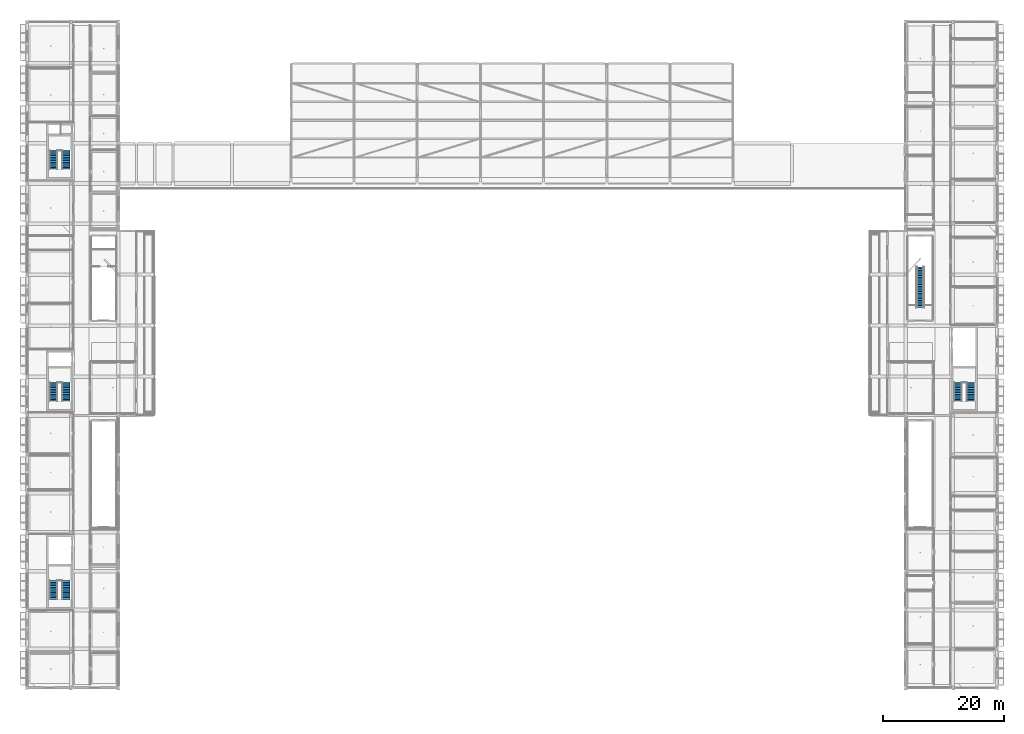
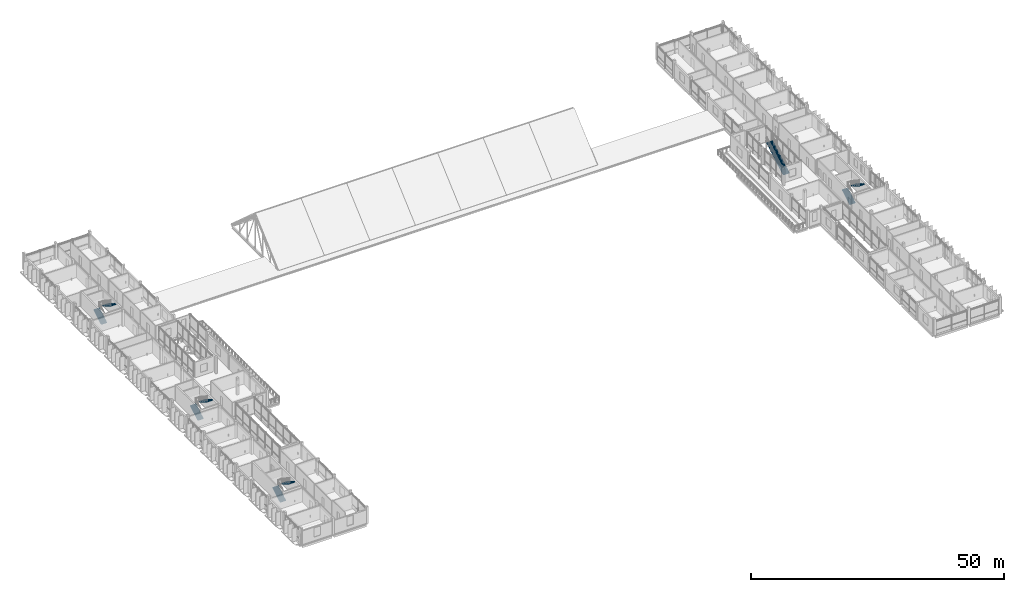
# One storey, part 63 of 86: 9 stair flights, 5 elements without a shape of their own.
"""IFC4 building model written with IfcOpenShell, lengths in metres."""

import ifcopenshell
import ifcopenshell.guid

model = None  # the IFC model being written
_history = None  # IfcOwnerHistory: only IFC2X3 demands one
_inside = {}  # id of a spatial element -> (the spatial element, [elements in it])
_under = {}  # id of a project, library or spatial element -> (it, [spatial elements below it])
_declared = {}  # id of a project -> (the project, [libraries it declares])
_typed = {}  # id of a type object -> (the type object, [elements of that type])
_made_of = {}  # id of a material, layer set ... -> (it, [elements and type objects made of it])


def new_model(schema):
    """Start an empty IFC model of exactly this schema.

    Asked for "IFC4X3", IfcOpenShell would pick the latest addendum, in which some entities
    have other attributes; the version numbers below select the first issue.
    IFC2X3 requires an IfcOwnerHistory on every rooted entity: one is made here for all.
    """
    global model, _history
    if schema == "IFC4X3":
        model = ifcopenshell.file(schema_version=(4, 3, 0, 0))
    else:
        model = ifcopenshell.file(schema=schema)
    _inside.clear()
    _under.clear()
    _declared.clear()
    _typed.clear()
    _made_of.clear()
    _history = None
    if model.schema == "IFC2X3":
        org = make("IfcOrganization", Name="unknown")
        user = make(
            "IfcPersonAndOrganization",
            ThePerson=make("IfcPerson", FamilyName="unknown"),
            TheOrganization=org,
        )
        app = make(
            "IfcApplication",
            ApplicationDeveloper=org,
            Version="unknown",
            ApplicationFullName="unknown",
            ApplicationIdentifier="unknown",
        )
        _history = make(
            "IfcOwnerHistory",
            OwningUser=user,
            OwningApplication=app,
            ChangeAction="ADDED",
            CreationDate=0,
        )
    return model


def make(cls, **values):
    """One entity of the class cls with the attributes given. An attribute that is None is left unset."""
    return model.create_entity(
        cls, **{name: value for name, value in values.items() if value is not None}
    )


def rooted(cls, **values):
    """An entity with a GlobalId (a new one), such as an element, a storey or a relation."""
    return make(cls, GlobalId=ifcopenshell.guid.new(), OwnerHistory=_history, **values)


def si_unit(unit_type, name, prefix=None):
    """IfcSIUnit, for example si_unit("LENGTHUNIT", "METRE", prefix="MILLI")."""
    return make("IfcSIUnit", UnitType=unit_type, Prefix=prefix, Name=name)


def derived_unit(unit_type, elements):
    """IfcDerivedUnit: a product of units, each with its exponent."""
    return make(
        "IfcDerivedUnit",
        Elements=[
            make("IfcDerivedUnitElement", Unit=unit, Exponent=power)
            for unit, power in elements
        ],
        UnitType=unit_type,
    )


def assignment(units):
    """IfcUnitAssignment: the units of a project."""
    return None if units is None else make("IfcUnitAssignment", Units=units)


def point(xyz):
    """IfcCartesianPoint."""
    return None if xyz is None else make("IfcCartesianPoint", Coordinates=xyz)


def direction(xyz):
    """IfcDirection."""
    return None if xyz is None else make("IfcDirection", DirectionRatios=xyz)


def frame(location, z_axis=None, x_axis=None):
    """IfcAxis2Placement3D, a coordinate frame: its origin and axes. An axis left out is left unset."""
    return make(
        "IfcAxis2Placement3D",
        Location=point(location),
        Axis=direction(z_axis),
        RefDirection=direction(x_axis),
    )


def origin():
    """The frame at (0, 0, 0) with its axes left unset."""
    return frame((0.0, 0.0, 0.0))


def place(relative_to, where):
    """IfcLocalPlacement: puts the frame where relative to a parent placement (None: the world)."""
    return make(
        "IfcLocalPlacement", PlacementRelTo=relative_to, RelativePlacement=where
    )


def context(
    kind, dimensions, precision=None, world=None, true_north=None, identifier=None
):
    """IfcGeometricRepresentationContext, for example the 3D "Model" context."""
    return make(
        "IfcGeometricRepresentationContext",
        ContextIdentifier=identifier,
        ContextType=kind,
        CoordinateSpaceDimension=dimensions,
        Precision=precision,
        WorldCoordinateSystem=world,
        TrueNorth=true_north,
    )


def subcontext(parent, identifier, kind, view, scale=None):
    """IfcGeometricRepresentationSubContext, for example "Body" below "Model"."""
    return make(
        "IfcGeometricRepresentationSubContext",
        ContextIdentifier=identifier,
        ContextType=kind,
        ParentContext=parent,
        TargetScale=scale,
        TargetView=view,
    )


def project(units=None, contexts=None):
    """IfcProject with its units and contexts."""
    return rooted(
        "IfcProject",
        Name="project",
        RepresentationContexts=contexts,
        UnitsInContext=assignment(units),
    )


def spatial(cls, under=None, at=None, **own):
    """A site, building, storey or space (cls), placed at a placement, below another one or the project."""
    s = rooted(cls, ObjectPlacement=at, **own)
    if under is not None:
        _under.setdefault(under.id(), (under, []))[1].append(s)
    return s


def polyline(points):
    """IfcPolyline through the points."""
    return make("IfcPolyline", Points=[point(p) for p in points])


def outline(outer, holes=None, kind="AREA"):
    """IfcArbitraryClosedProfileDef: a profile drawn as a closed curve; with holes, ...WithVoids."""
    if holes is None:
        return make("IfcArbitraryClosedProfileDef", ProfileType=kind, OuterCurve=outer)
    return make(
        "IfcArbitraryProfileDefWithVoids",
        ProfileType=kind,
        OuterCurve=outer,
        InnerCurves=holes,
    )


def extrude(swept, where, along, depth):
    """IfcExtrudedAreaSolid: the profile swept, set in the frame where, extruded along a direction by depth."""
    return make(
        "IfcExtrudedAreaSolid",
        SweptArea=swept,
        Position=where,
        ExtrudedDirection=direction(along),
        Depth=depth,
    )


def shape(context_of_items, identifier, shape_type, items):
    """IfcShapeRepresentation: the items that make up one representation, for example the "Body"."""
    return make(
        "IfcShapeRepresentation",
        ContextOfItems=context_of_items,
        RepresentationIdentifier=identifier,
        RepresentationType=shape_type,
        Items=items,
    )


def material(Name=None, Category=None):
    """IfcMaterial."""
    return make("IfcMaterial", Name=Name, Category=Category)


def made_of(thing, what):
    """Note that an element or type object is made of a material, layer set ...; save() writes the relation."""
    if what is not None:
        _made_of.setdefault(what.id(), (what, []))[1].append(thing)
    return thing


def type_object(cls, material=None, **own):
    """A type object (cls), such as IfcWallType, which elements share."""
    return made_of(rooted(cls, **own), material)


def element(
    cls,
    number,
    at=None,
    inside=None,
    cuts=None,
    type_object=None,
    material=None,
    context=None,
    identifier="Body",
    shape_type=None,
    held_by="IfcProductDefinitionShape",
    body=None,
    shapes=None,
    **own,
):
    """One element of the class cls, such as IfcWall. Its Tag is "e" and its number.

    at: its placement. inside: the storey or other place that contains it. cuts: it is an
    opening in that element (IfcRelVoidsElement). A single representation is given by context,
    identifier, shape_type and body (its items); several are given by shapes. held_by: the class
    of the entity that holds the representations. save() writes the other relations.
    """
    e = rooted(cls, Tag="e%d" % number, ObjectPlacement=at, **own)
    if body is not None:
        shapes = [shape(context, identifier, shape_type, body)]
    if shapes is not None:
        e.Representation = make(held_by, Representations=shapes)
    if inside is not None:
        _inside.setdefault(inside.id(), (inside, []))[1].append(e)
    if cuts is not None:
        rooted(
            "IfcRelVoidsElement", RelatingBuildingElement=cuts, RelatedOpeningElement=e
        )
    if type_object is not None:
        _typed.setdefault(type_object.id(), (type_object, []))[1].append(e)
    return made_of(e, material)


def aggregate(whole, parts):
    """IfcRelAggregates: a whole, such as a stair, and the parts it consists of."""
    return rooted("IfcRelAggregates", RelatingObject=whole, RelatedObjects=parts)


def save(model, path):
    """Write the relations noted so far, then the file.

    IfcRelAggregates (storeys below a building ...), IfcRelContainedInSpatialStructure (elements
    in a storey), IfcRelDefinesByType, IfcRelAssociatesMaterial and IfcRelDeclares: one each for
    every whole, place, type object, material and project.
    """
    for whole, parts in _under.values():
        aggregate(whole, parts)
    for where, things in _inside.values():
        rooted(
            "IfcRelContainedInSpatialStructure",
            RelatedElements=things,
            RelatingStructure=where,
        )
    for kind, things in _typed.values():
        rooted("IfcRelDefinesByType", RelatedObjects=things, RelatingType=kind)
    for what, things in _made_of.values():
        rooted("IfcRelAssociatesMaterial", RelatedObjects=things, RelatingMaterial=what)
    for by, libraries in _declared.values():
        rooted("IfcRelDeclares", RelatingContext=by, RelatedDefinitions=libraries)
    model.write(path)


model = new_model("IFC4")

# Units and contexts
model_context = context("Model", 3, precision=1e-05, world=origin(), true_north=direction((0.0, 1.0)))
body_context = subcontext(model_context, "Body", "Model", "MODEL_VIEW")
ifc_project = project(units=[si_unit("LENGTHUNIT", "METRE"), si_unit("AREAUNIT", "SQUARE_METRE"), si_unit("VOLUMEUNIT", "CUBIC_METRE"), si_unit("PLANEANGLEUNIT", "RADIAN"), si_unit("MASSUNIT", "GRAM", prefix="KILO"), derived_unit("THERMALTRANSMITTANCEUNIT", [(si_unit("POWERUNIT", "WATT"), 1), (si_unit("LENGTHUNIT", "METRE"), -2), (si_unit("THERMODYNAMICTEMPERATUREUNIT", "KELVIN"), -1)])], contexts=[model_context])

# Site, building, storey
site_placement = place(None, origin())
site = spatial("IfcSite", under=ifc_project, at=site_placement, CompositionType="ELEMENT")
building_placement = place(site_placement, origin())
building = spatial("IfcBuilding", under=site, at=building_placement, Name="Braskholm Square Health Centre", CompositionType="ELEMENT")
storey_placement = place(building_placement, frame((0.0, 0.0, 13.5)))
storey = spatial("IfcBuildingStorey", under=building, at=storey_placement, Name="L04", CompositionType="ELEMENT", Elevation=13.5)

# Stair, stair flights
ifc_material = material(Name="Concrete C35/45 (f'c = 35 MPa)", Category="concrete")
stair_type_1 = type_object("IfcStairType", Name="ExitReturnStairL04", PredefinedType="HALF_TURN_STAIR", material=ifc_material)
stair_1_placement = place(storey_placement, origin())
stair_1 = element("IfcStair", 1, at=stair_1_placement, inside=storey, type_object=stair_type_1, Name="Enclosed exit stair ST-01 L04 to L05", PredefinedType="HALF_TURN_STAIR")
stair_flight_type_1 = type_object("IfcStairFlightType", Name="ExitStairFlightL04", PredefinedType="STRAIGHT", material=ifc_material)
stair_flight_1_placement = place(storey_placement, frame((8.510009765625, 18.760009765625, 0.0), z_axis=(0.0, 0.0, 1.0), x_axis=(0.0, 1.0, 0.0)))
stair_flight_1 = element("IfcStairFlight", 2, at=stair_flight_1_placement, type_object=stair_flight_type_1, Name="Stair ST-01 lower flight L04", NumberOfRisers=12, NumberOfTreads=11, PredefinedType="STRAIGHT", RiserHeight=0.16875, TreadLength=0.28, context=body_context, shape_type="SweptSolid", body=[
    extrude(outline(polyline([(0.0, 0.0), (0.0, 0.168701171875), (0.280029296875, 0.168701171875), (0.280029296875, 0.33740234375), (0.56005859375, 0.33740234375), (0.56005859375, 0.50634765625), (0.840087890625, 0.50634765625), (0.840087890625, 0.675048828125), (1.1201171875, 0.675048828125), (1.1201171875, 0.84375), (1.39990234375, 0.84375), (1.39990234375, 1.012451171875), (1.679931640625, 1.012451171875), (1.679931640625, 1.18115234375), (1.9599609375, 1.18115234375), (1.9599609375, 1.35009765625), (2.239990234375, 1.35009765625), (2.239990234375, 1.518798828125), (2.52001953125, 1.518798828125), (2.52001953125, 1.6875), (2.800048828125, 1.6875), (2.800048828125, 1.856201171875), (3.080078125, 1.856201171875), (3.080078125, 2.02490234375), (3.080078125, 1.66943359375), (0.309814453125, 0.0), (0.0, 0.0)])), frame((0.0, 0.66015625, 0.0), z_axis=(0.0, -1.0, 0.0), x_axis=(1.0, 0.0, 0.0)), (0.0, 0.0, 1.0), 1.320068359375),
])
stair_flight_2_placement = place(storey_placement, frame((10.590087890625, 21.840087890625, 2.02490234375), z_axis=(0.0, 0.0, 1.0), x_axis=(0.0, -1.0, 0.0)))
stair_flight_2 = element("IfcStairFlight", 3, at=stair_flight_2_placement, type_object=stair_flight_type_1, Name="Stair ST-01 upper flight L04", NumberOfRisers=12, NumberOfTreads=11, PredefinedType="STRAIGHT", RiserHeight=0.16875, TreadLength=0.28, context=body_context, shape_type="SweptSolid", body=[
    extrude(outline(polyline([(0.0, 0.0), (0.0, 0.168701171875), (0.280029296875, 0.168701171875), (0.280029296875, 0.33740234375), (0.56005859375, 0.33740234375), (0.56005859375, 0.50634765625), (0.840087890625, 0.50634765625), (0.840087890625, 0.675048828125), (1.1201171875, 0.675048828125), (1.1201171875, 0.84375), (1.39990234375, 0.84375), (1.39990234375, 1.012451171875), (1.679931640625, 1.012451171875), (1.679931640625, 1.18115234375), (1.9599609375, 1.18115234375), (1.9599609375, 1.35009765625), (2.239990234375, 1.35009765625), (2.239990234375, 1.518798828125), (2.52001953125, 1.518798828125), (2.52001953125, 1.6875), (2.800048828125, 1.6875), (2.800048828125, 1.856201171875), (3.080078125, 1.856201171875), (3.080078125, 2.02490234375), (3.080078125, 1.66943359375), (0.309814453125, 0.0), (0.0, 0.0)])), frame((0.0, 0.66015625, 0.0), z_axis=(0.0, -1.0, 0.0), x_axis=(1.0, 0.0, 0.0)), (0.0, 0.0, 1.0), 1.320068359375),
])
aggregate(stair_1, [stair_flight_1, stair_flight_2])

stair_2_placement = place(storey_placement, origin())
stair_2 = element("IfcStair", 4, at=stair_2_placement, inside=storey, type_object=stair_type_1, Name="Enclosed exit stair ST-02 L04 to L05", PredefinedType="HALF_TURN_STAIR")
stair_flight_3_placement = place(storey_placement, frame((8.510009765625, 51.360107421875, 0.0), z_axis=(0.0, 0.0, 1.0), x_axis=(0.0, 1.0, 0.0)))
stair_flight_3 = element("IfcStairFlight", 5, at=stair_flight_3_placement, type_object=stair_flight_type_1, Name="Stair ST-02 lower flight L04", NumberOfRisers=12, NumberOfTreads=11, PredefinedType="STRAIGHT", RiserHeight=0.16875, TreadLength=0.28, context=body_context, shape_type="SweptSolid", body=[
    extrude(outline(polyline([(0.0, 0.0), (0.0, 0.168701171875), (0.280029296875, 0.168701171875), (0.280029296875, 0.33740234375), (0.56005859375, 0.33740234375), (0.56005859375, 0.50634765625), (0.840087890625, 0.50634765625), (0.840087890625, 0.675048828125), (1.1201171875, 0.675048828125), (1.1201171875, 0.84375), (1.39990234375, 0.84375), (1.39990234375, 1.012451171875), (1.679931640625, 1.012451171875), (1.679931640625, 1.18115234375), (1.9599609375, 1.18115234375), (1.9599609375, 1.35009765625), (2.239990234375, 1.35009765625), (2.239990234375, 1.518798828125), (2.52001953125, 1.518798828125), (2.52001953125, 1.6875), (2.800048828125, 1.6875), (2.800048828125, 1.856201171875), (3.080078125, 1.856201171875), (3.080078125, 2.02490234375), (3.080078125, 1.66943359375), (0.309814453125, 0.0), (0.0, 0.0)])), frame((0.0, 0.66015625, 0.0), z_axis=(0.0, -1.0, 0.0), x_axis=(1.0, 0.0, 0.0)), (0.0, 0.0, 1.0), 1.320068359375),
])
stair_flight_4_placement = place(storey_placement, frame((10.590087890625, 54.43994140625, 2.02490234375), z_axis=(0.0, 0.0, 1.0), x_axis=(0.0, -1.0, 0.0)))
stair_flight_4 = element("IfcStairFlight", 6, at=stair_flight_4_placement, type_object=stair_flight_type_1, Name="Stair ST-02 upper flight L04", NumberOfRisers=12, NumberOfTreads=11, PredefinedType="STRAIGHT", RiserHeight=0.16875, TreadLength=0.28, context=body_context, shape_type="SweptSolid", body=[
    extrude(outline(polyline([(0.0, 0.0), (0.0, 0.168701171875), (0.280029296875, 0.168701171875), (0.280029296875, 0.33740234375), (0.56005859375, 0.33740234375), (0.56005859375, 0.50634765625), (0.840087890625, 0.50634765625), (0.840087890625, 0.675048828125), (1.1201171875, 0.675048828125), (1.1201171875, 0.84375), (1.39990234375, 0.84375), (1.39990234375, 1.012451171875), (1.679931640625, 1.012451171875), (1.679931640625, 1.18115234375), (1.9599609375, 1.18115234375), (1.9599609375, 1.35009765625), (2.239990234375, 1.35009765625), (2.239990234375, 1.518798828125), (2.52001953125, 1.518798828125), (2.52001953125, 1.6875), (2.800048828125, 1.6875), (2.800048828125, 1.856201171875), (3.080078125, 1.856201171875), (3.080078125, 2.02490234375), (3.080078125, 1.66943359375), (0.309814453125, 0.0), (0.0, 0.0)])), frame((0.0, 0.66015625, 0.0), z_axis=(0.0, -1.0, 0.0), x_axis=(1.0, 0.0, 0.0)), (0.0, 0.0, 1.0), 1.320068359375),
])
aggregate(stair_2, [stair_flight_3, stair_flight_4])

stair_3_placement = place(storey_placement, origin())
stair_3 = element("IfcStair", 7, at=stair_3_placement, inside=storey, type_object=stair_type_1, Name="Enclosed exit stair ST-03 L04 to L05", PredefinedType="HALF_TURN_STAIR")
stair_flight_5_placement = place(storey_placement, frame((8.510009765625, 89.56005859375, 0.0), z_axis=(0.0, 0.0, 1.0), x_axis=(0.0, 1.0, 0.0)))
stair_flight_5 = element("IfcStairFlight", 8, at=stair_flight_5_placement, type_object=stair_flight_type_1, Name="Stair ST-03 lower flight L04", NumberOfRisers=12, NumberOfTreads=11, PredefinedType="STRAIGHT", RiserHeight=0.16875, TreadLength=0.28, context=body_context, shape_type="SweptSolid", body=[
    extrude(outline(polyline([(0.0, 0.0), (0.0, 0.168701171875), (0.280029296875, 0.168701171875), (0.280029296875, 0.33740234375), (0.56005859375, 0.33740234375), (0.56005859375, 0.50634765625), (0.840087890625, 0.50634765625), (0.840087890625, 0.675048828125), (1.1201171875, 0.675048828125), (1.1201171875, 0.84375), (1.39990234375, 0.84375), (1.39990234375, 1.012451171875), (1.679931640625, 1.012451171875), (1.679931640625, 1.18115234375), (1.9599609375, 1.18115234375), (1.9599609375, 1.35009765625), (2.239990234375, 1.35009765625), (2.239990234375, 1.518798828125), (2.52001953125, 1.518798828125), (2.52001953125, 1.6875), (2.800048828125, 1.6875), (2.800048828125, 1.856201171875), (3.080078125, 1.856201171875), (3.080078125, 2.02490234375), (3.080078125, 1.66943359375), (0.309814453125, 0.0), (0.0, 0.0)])), frame((0.0, 0.66015625, 0.0), z_axis=(0.0, -1.0, 0.0), x_axis=(1.0, 0.0, 0.0)), (0.0, 0.0, 1.0), 1.320068359375),
])
stair_flight_6_placement = place(storey_placement, frame((10.590087890625, 92.639892578125, 2.02490234375), z_axis=(0.0, 0.0, 1.0), x_axis=(0.0, -1.0, 0.0)))
stair_flight_6 = element("IfcStairFlight", 9, at=stair_flight_6_placement, type_object=stair_flight_type_1, Name="Stair ST-03 upper flight L04", NumberOfRisers=12, NumberOfTreads=11, PredefinedType="STRAIGHT", RiserHeight=0.16875, TreadLength=0.28, context=body_context, shape_type="SweptSolid", body=[
    extrude(outline(polyline([(0.0, 0.0), (0.0, 0.168701171875), (0.280029296875, 0.168701171875), (0.280029296875, 0.33740234375), (0.56005859375, 0.33740234375), (0.56005859375, 0.50634765625), (0.840087890625, 0.50634765625), (0.840087890625, 0.675048828125), (1.1201171875, 0.675048828125), (1.1201171875, 0.84375), (1.39990234375, 0.84375), (1.39990234375, 1.012451171875), (1.679931640625, 1.012451171875), (1.679931640625, 1.18115234375), (1.9599609375, 1.18115234375), (1.9599609375, 1.35009765625), (2.239990234375, 1.35009765625), (2.239990234375, 1.518798828125), (2.52001953125, 1.518798828125), (2.52001953125, 1.6875), (2.800048828125, 1.6875), (2.800048828125, 1.856201171875), (3.080078125, 1.856201171875), (3.080078125, 2.02490234375), (3.080078125, 1.66943359375), (0.309814453125, 0.0), (0.0, 0.0)])), frame((0.0, 0.66015625, 0.0), z_axis=(0.0, -1.0, 0.0), x_axis=(1.0, 0.0, 0.0)), (0.0, 0.0, 1.0), 1.320068359375),
])
aggregate(stair_3, [stair_flight_5, stair_flight_6])

stair_4_placement = place(storey_placement, origin())
stair_4 = element("IfcStair", 10, at=stair_4_placement, inside=storey, type_object=stair_type_1, Name="Enclosed exit stair ST-04 L04 to L05", PredefinedType="HALF_TURN_STAIR")
stair_flight_7_placement = place(storey_placement, frame((157.409912109375, 51.360107421875, 0.0), z_axis=(0.0, 0.0, 1.0), x_axis=(0.0, 1.0, 0.0)))
stair_flight_7 = element("IfcStairFlight", 11, at=stair_flight_7_placement, type_object=stair_flight_type_1, Name="Stair ST-04 lower flight L04", NumberOfRisers=12, NumberOfTreads=11, PredefinedType="STRAIGHT", RiserHeight=0.16875, TreadLength=0.28, context=body_context, shape_type="SweptSolid", body=[
    extrude(outline(polyline([(0.0, 0.0), (0.0, 0.168701171875), (0.280029296875, 0.168701171875), (0.280029296875, 0.33740234375), (0.56005859375, 0.33740234375), (0.56005859375, 0.50634765625), (0.840087890625, 0.50634765625), (0.840087890625, 0.675048828125), (1.1201171875, 0.675048828125), (1.1201171875, 0.84375), (1.39990234375, 0.84375), (1.39990234375, 1.012451171875), (1.679931640625, 1.012451171875), (1.679931640625, 1.18115234375), (1.9599609375, 1.18115234375), (1.9599609375, 1.35009765625), (2.239990234375, 1.35009765625), (2.239990234375, 1.518798828125), (2.52001953125, 1.518798828125), (2.52001953125, 1.6875), (2.800048828125, 1.6875), (2.800048828125, 1.856201171875), (3.080078125, 1.856201171875), (3.080078125, 2.02490234375), (3.080078125, 1.66943359375), (0.309814453125, 0.0), (0.0, 0.0)])), frame((0.0, 0.66015625, 0.0), z_axis=(0.0, -1.0, 0.0), x_axis=(1.0, 0.0, 0.0)), (0.0, 0.0, 1.0), 1.320068359375),
])
stair_flight_8_placement = place(storey_placement, frame((159.489990234375, 54.43994140625, 2.02490234375), z_axis=(0.0, 0.0, 1.0), x_axis=(0.0, -1.0, 0.0)))
stair_flight_8 = element("IfcStairFlight", 12, at=stair_flight_8_placement, type_object=stair_flight_type_1, Name="Stair ST-04 upper flight L04", NumberOfRisers=12, NumberOfTreads=11, PredefinedType="STRAIGHT", RiserHeight=0.16875, TreadLength=0.28, context=body_context, shape_type="SweptSolid", body=[
    extrude(outline(polyline([(0.0, 0.0), (0.0, 0.168701171875), (0.280029296875, 0.168701171875), (0.280029296875, 0.33740234375), (0.56005859375, 0.33740234375), (0.56005859375, 0.50634765625), (0.840087890625, 0.50634765625), (0.840087890625, 0.675048828125), (1.1201171875, 0.675048828125), (1.1201171875, 0.84375), (1.39990234375, 0.84375), (1.39990234375, 1.012451171875), (1.679931640625, 1.012451171875), (1.679931640625, 1.18115234375), (1.9599609375, 1.18115234375), (1.9599609375, 1.35009765625), (2.239990234375, 1.35009765625), (2.239990234375, 1.518798828125), (2.52001953125, 1.518798828125), (2.52001953125, 1.6875), (2.800048828125, 1.6875), (2.800048828125, 1.856201171875), (3.080078125, 1.856201171875), (3.080078125, 2.02490234375), (3.080078125, 1.66943359375), (0.309814453125, 0.0), (0.0, 0.0)])), frame((0.0, 0.66015625, 0.0), z_axis=(0.0, -1.0, 0.0), x_axis=(1.0, 0.0, 0.0)), (0.0, 0.0, 1.0), 1.320068359375),
])
aggregate(stair_4, [stair_flight_7, stair_flight_8])

# Stair, stair flight
stair_type_2 = type_object("IfcStairType", Name="StraightRunStairTerraceStepB", PredefinedType="STRAIGHT_RUN_STAIR", material=ifc_material)
stair_5_placement = place(storey_placement, origin())
stair_5 = element("IfcStair", 13, at=stair_5_placement, inside=storey, type_object=stair_type_2, Name="Enclosed atrium feature stair ST-10", PredefinedType="STRAIGHT_RUN_STAIR")
stair_flight_type_2 = type_object("IfcStairFlightType", Name="StraightFlightTerraceStepB", PredefinedType="STRAIGHT", material=ifc_material)
stair_flight_9_placement = place(storey_placement, frame((151.199951171875, 66.800048828125, 0.0), z_axis=(0.0, 0.0, 1.0), x_axis=(0.0, 1.0, 0.0)))
stair_flight_9 = element("IfcStairFlight", 14, at=stair_flight_9_placement, type_object=stair_flight_type_2, Name="Stair ST-10 straight flight", NumberOfRisers=24, NumberOfTreads=23, PredefinedType="STRAIGHT", RiserHeight=0.16875, TreadLength=0.29, context=body_context, shape_type="SweptSolid", body=[
    extrude(outline(polyline([(0.0, 0.0), (0.0, 0.168701171875), (0.2900390625, 0.168701171875), (0.2900390625, 0.33740234375), (0.580078125, 0.33740234375), (0.580078125, 0.50634765625), (0.8701171875, 0.50634765625), (0.8701171875, 0.675048828125), (1.159912109375, 0.675048828125), (1.159912109375, 0.84375), (1.449951171875, 0.84375), (1.449951171875, 1.012451171875), (1.739990234375, 1.012451171875), (1.739990234375, 1.18115234375), (2.030029296875, 1.18115234375), (2.030029296875, 1.35009765625), (2.320068359375, 1.35009765625), (2.320068359375, 1.518798828125), (2.610107421875, 1.518798828125), (2.610107421875, 1.6875), (2.89990234375, 1.6875), (2.89990234375, 1.856201171875), (3.18994140625, 1.856201171875), (3.18994140625, 2.02490234375), (3.47998046875, 2.02490234375), (3.47998046875, 2.19384765625), (3.77001953125, 2.19384765625), (3.77001953125, 2.362548828125), (4.06005859375, 2.362548828125), (4.06005859375, 2.53125), (4.35009765625, 2.53125), (4.35009765625, 2.699951171875), (4.639892578125, 2.699951171875), (4.639892578125, 2.86865234375), (4.929931640625, 2.86865234375), (4.929931640625, 3.03759765625), (5.219970703125, 3.03759765625), (5.219970703125, 3.206298828125), (5.510009765625, 3.206298828125), (5.510009765625, 3.375), (5.800048828125, 3.375), (5.800048828125, 3.543701171875), (6.090087890625, 3.543701171875), (6.090087890625, 3.71240234375), (6.3798828125, 3.71240234375), (6.3798828125, 3.88134765625), (6.669921875, 3.88134765625), (6.669921875, 4.050048828125), (6.669921875, 3.673095703125), (0.357666015625, 0.0), (0.0, 0.0)])), frame((0.0, 0.719970703125, 0.0), z_axis=(0.0, -1.0, 0.0), x_axis=(1.0, 0.0, 0.0)), (0.0, 0.0, 1.0), 1.43994140625),
])
aggregate(stair_5, [stair_flight_9])

save(model, "model.ifc")
